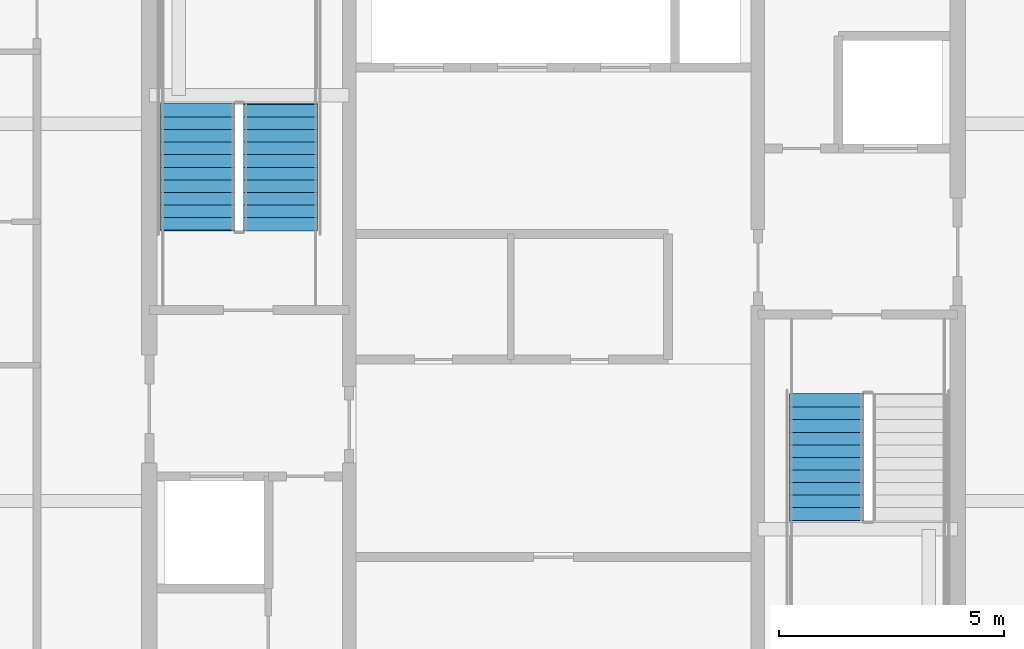
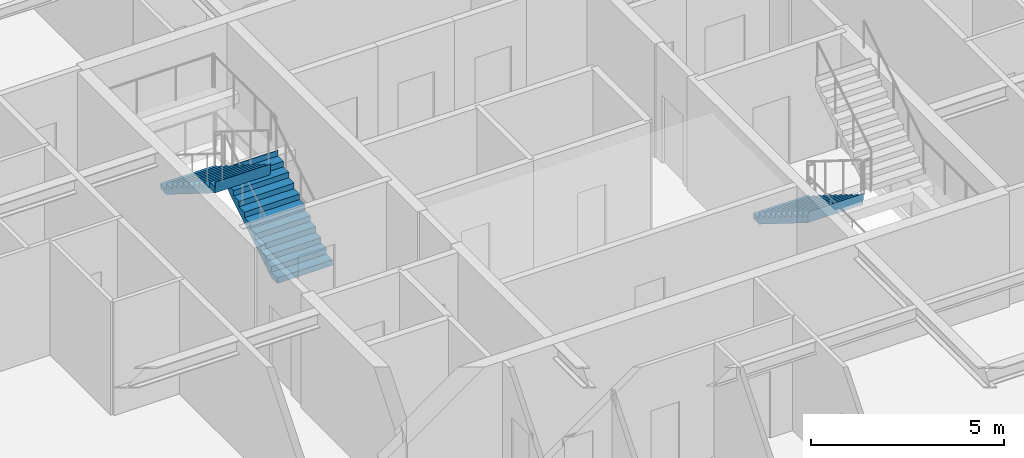
# One storey, part 30 of 36: 3 stair flights, 2 elements without a shape of their own.
"""IFC4 building model written with IfcOpenShell, lengths in metres."""

from ifc_helpers import new_model, si_unit, direction, frame, origin, place, context, subcontext, project, spatial, polygons, material, type_object, element, aggregate, save


model = new_model("IFC4")

# Units and contexts
model_context = context("Model", 3, precision=1e-05, world=origin(), true_north=direction((0.0, 1.0)))
body_context = subcontext(model_context, "Body", "Model", "MODEL_VIEW")
ifc_project = project(units=[si_unit("LENGTHUNIT", "METRE"), si_unit("AREAUNIT", "SQUARE_METRE"), si_unit("VOLUMEUNIT", "CUBIC_METRE"), si_unit("PLANEANGLEUNIT", "RADIAN"), si_unit("MASSUNIT", "GRAM", prefix="KILO")], contexts=[model_context])

# Site, building, storey
site_placement = place(None, origin())
site = spatial("IfcSite", under=ifc_project, at=site_placement, CompositionType="ELEMENT")
building_placement = place(site_placement, origin())
building = spatial("IfcBuilding", under=site, at=building_placement, Name="Serunith Strait Residences", CompositionType="ELEMENT")
storey_placement = place(building_placement, frame((0.0, 0.0, 225.85009765625)))
storey = spatial("IfcBuildingStorey", under=building, at=storey_placement, Name="L56", CompositionType="ELEMENT", Elevation=225.85009765625)

# Stair, stair flights
ifc_material = material(Name="Concrete C50/60", Category="concrete")
stair_type_1 = type_object("IfcStairType", Name="STR-CORE-1", PredefinedType="HALF_TURN_STAIR", material=ifc_material)
stair_1_placement = place(storey_placement, origin())
stair_1 = element("IfcStair", 1, at=stair_1_placement, inside=storey, type_object=stair_type_1, Name="L56 Protected Escape Stair ST-1", PredefinedType="HALF_TURN_STAIR")
stair_flight_type_1 = type_object("IfcStairFlightType", Name="FLT-CORE-1", PredefinedType="STRAIGHT", material=ifc_material)
stair_flight_1_placement = place(storey_placement, frame((26.324951171875, 27.030029296875, 0.0), z_axis=(0.0, 0.0, 1.0), x_axis=(0.0, 1.0, 0.0)))
stair_flight_1 = element("IfcStairFlight", 2, at=stair_flight_1_placement, type_object=stair_flight_type_1, Name="ST-1 flight 1", NumberOfRisers=11, NumberOfTreads=10, PredefinedType="STRAIGHT", RiserHeight=0.175, TreadLength=0.28, context=body_context, shape_type="Tessellation", body=[
    polygons([(-0.02001953125, -0.824951171875, 0.0), (-0.02001953125, -0.824951171875, 0.175048828125), (0.280029296875, -0.824951171875, 0.175048828125), (0.280029296875, -0.824951171875, 0.35009765625), (0.56005859375, -0.824951171875, 0.35009765625), (0.56005859375, -0.824951171875, 0.52490234375), (0.840087890625, -0.824951171875, 0.52490234375), (0.840087890625, -0.824951171875, 0.699951171875), (1.1201171875, -0.824951171875, 0.699951171875), (1.1201171875, -0.824951171875, 0.875), (1.39990234375, -0.824951171875, 0.875), (1.39990234375, -0.824951171875, 1.050048828125), (1.679931640625, -0.824951171875, 1.050048828125), (1.679931640625, -0.824951171875, 1.22509765625), (1.9599609375, -0.824951171875, 1.22509765625), (1.9599609375, -0.824951171875, 1.39990234375), (2.239990234375, -0.824951171875, 1.39990234375), (2.239990234375, -0.824951171875, 1.574951171875), (2.52001953125, -0.824951171875, 1.574951171875), (2.52001953125, -0.824951171875, 1.75), (2.800048828125, -0.824951171875, 1.75), (2.800048828125, -0.824951171875, 1.925048828125), (2.820068359375, -0.824951171875, 1.925048828125), (2.820068359375, -0.824951171875, 1.864990234375), (2.800048828125, -0.824951171875, 1.5732421875), (0.28271484375, -0.824951171875, 0.0), (-0.02001953125, -0.41259765625, 0.0), (-0.02001953125, -0.41259765625, 0.175048828125), (0.280029296875, -0.41259765625, 0.175048828125), (0.280029296875, -0.41259765625, 0.35009765625), (0.56005859375, -0.41259765625, 0.35009765625), (0.56005859375, -0.41259765625, 0.52490234375), (0.840087890625, -0.41259765625, 0.52490234375), (0.840087890625, -0.41259765625, 0.699951171875), (1.1201171875, -0.41259765625, 0.699951171875), (1.1201171875, -0.41259765625, 0.875), (1.39990234375, -0.41259765625, 0.875), (1.39990234375, -0.41259765625, 1.050048828125), (1.679931640625, -0.41259765625, 1.050048828125), (1.679931640625, -0.41259765625, 1.22509765625), (1.9599609375, -0.41259765625, 1.22509765625), (1.9599609375, -0.41259765625, 1.39990234375), (2.239990234375, -0.41259765625, 1.39990234375), (2.239990234375, -0.41259765625, 1.574951171875), (2.52001953125, -0.41259765625, 1.574951171875), (2.52001953125, -0.41259765625, 1.75), (2.800048828125, -0.41259765625, 1.75), (2.800048828125, -0.41259765625, 1.925048828125), (2.820068359375, -0.41259765625, 1.925048828125), (2.820068359375, -0.41259765625, 1.864990234375), (2.800048828125, -0.41259765625, 1.5732421875), (0.28271484375, -0.41259765625, 0.0), (-0.02001953125, 0.0, 0.0), (-0.02001953125, 0.0, 0.175048828125), (0.280029296875, 0.0, 0.175048828125), (0.280029296875, 0.0, 0.35009765625), (0.56005859375, 0.0, 0.35009765625), (0.56005859375, 0.0, 0.52490234375), (0.840087890625, 0.0, 0.52490234375), (0.840087890625, 0.0, 0.699951171875), (1.1201171875, 0.0, 0.699951171875), (1.1201171875, 0.0, 0.875), (1.39990234375, 0.0, 0.875), (1.39990234375, 0.0, 1.050048828125), (1.679931640625, 0.0, 1.050048828125), (1.679931640625, 0.0, 1.22509765625), (1.9599609375, 0.0, 1.22509765625), (1.9599609375, 0.0, 1.39990234375), (2.239990234375, 0.0, 1.39990234375), (2.239990234375, 0.0, 1.574951171875), (2.52001953125, 0.0, 1.574951171875), (2.52001953125, 0.0, 1.75), (2.800048828125, 0.0, 1.75), (2.800048828125, 0.0, 1.925048828125), (2.820068359375, 0.0, 1.925048828125), (2.820068359375, 0.0, 1.864990234375), (2.800048828125, 0.0, 1.5732421875), (0.28271484375, 0.0, 0.0), (-0.02001953125, 0.41259765625, 0.0), (-0.02001953125, 0.41259765625, 0.175048828125), (0.280029296875, 0.41259765625, 0.175048828125), (0.280029296875, 0.41259765625, 0.35009765625), (0.56005859375, 0.41259765625, 0.35009765625), (0.56005859375, 0.41259765625, 0.52490234375), (0.840087890625, 0.41259765625, 0.52490234375), (0.840087890625, 0.41259765625, 0.699951171875), (1.1201171875, 0.41259765625, 0.699951171875), (1.1201171875, 0.41259765625, 0.875), (1.39990234375, 0.41259765625, 0.875), (1.39990234375, 0.41259765625, 1.050048828125), (1.679931640625, 0.41259765625, 1.050048828125), (1.679931640625, 0.41259765625, 1.22509765625), (1.9599609375, 0.41259765625, 1.22509765625), (1.9599609375, 0.41259765625, 1.39990234375), (2.239990234375, 0.41259765625, 1.39990234375), (2.239990234375, 0.41259765625, 1.574951171875), (2.52001953125, 0.41259765625, 1.574951171875), (2.52001953125, 0.41259765625, 1.75), (2.800048828125, 0.41259765625, 1.75), (2.800048828125, 0.41259765625, 1.925048828125), (2.820068359375, 0.41259765625, 1.925048828125), (2.820068359375, 0.41259765625, 1.864990234375), (2.800048828125, 0.41259765625, 1.5732421875), (0.28271484375, 0.41259765625, 0.0), (-0.02001953125, 0.824951171875, 0.0), (-0.02001953125, 0.824951171875, 0.175048828125), (0.280029296875, 0.824951171875, 0.175048828125), (0.280029296875, 0.824951171875, 0.35009765625), (0.56005859375, 0.824951171875, 0.35009765625), (0.56005859375, 0.824951171875, 0.52490234375), (0.840087890625, 0.824951171875, 0.52490234375), (0.840087890625, 0.824951171875, 0.699951171875), (1.1201171875, 0.824951171875, 0.699951171875), (1.1201171875, 0.824951171875, 0.875), (1.39990234375, 0.824951171875, 0.875), (1.39990234375, 0.824951171875, 1.050048828125), (1.679931640625, 0.824951171875, 1.050048828125), (1.679931640625, 0.824951171875, 1.22509765625), (1.9599609375, 0.824951171875, 1.22509765625), (1.9599609375, 0.824951171875, 1.39990234375), (2.239990234375, 0.824951171875, 1.39990234375), (2.239990234375, 0.824951171875, 1.574951171875), (2.52001953125, 0.824951171875, 1.574951171875), (2.52001953125, 0.824951171875, 1.75), (2.800048828125, 0.824951171875, 1.75), (2.800048828125, 0.824951171875, 1.925048828125), (2.820068359375, 0.824951171875, 1.925048828125), (2.820068359375, 0.824951171875, 1.864990234375), (2.800048828125, 0.824951171875, 1.5732421875), (0.28271484375, 0.824951171875, 0.0)], [[[1, 2, 28, 27]], [[2, 3, 29, 28]], [[3, 4, 30, 29]], [[4, 5, 31, 30]], [[5, 6, 32, 31]], [[6, 7, 33, 32]], [[7, 8, 34, 33]], [[8, 9, 35, 34]], [[9, 10, 36, 35]], [[10, 11, 37, 36]], [[11, 12, 38, 37]], [[12, 13, 39, 38]], [[13, 14, 40, 39]], [[14, 15, 41, 40]], [[15, 16, 42, 41]], [[16, 17, 43, 42]], [[17, 18, 44, 43]], [[18, 19, 45, 44]], [[19, 20, 46, 45]], [[20, 21, 47, 46]], [[21, 22, 48, 47]], [[22, 23, 49, 48]], [[23, 24, 50, 49]], [[24, 25, 51, 50]], [[25, 26, 52, 51]], [[26, 1, 27, 52]], [[27, 28, 54, 53]], [[28, 29, 55, 54]], [[29, 30, 56, 55]], [[30, 31, 57, 56]], [[31, 32, 58, 57]], [[32, 33, 59, 58]], [[33, 34, 60, 59]], [[34, 35, 61, 60]], [[35, 36, 62, 61]], [[36, 37, 63, 62]], [[37, 38, 64, 63]], [[38, 39, 65, 64]], [[39, 40, 66, 65]], [[40, 41, 67, 66]], [[41, 42, 68, 67]], [[42, 43, 69, 68]], [[43, 44, 70, 69]], [[44, 45, 71, 70]], [[45, 46, 72, 71]], [[46, 47, 73, 72]], [[47, 48, 74, 73]], [[48, 49, 75, 74]], [[49, 50, 76, 75]], [[50, 51, 77, 76]], [[51, 52, 78, 77]], [[52, 27, 53, 78]], [[53, 54, 80, 79]], [[54, 55, 81, 80]], [[55, 56, 82, 81]], [[56, 57, 83, 82]], [[57, 58, 84, 83]], [[58, 59, 85, 84]], [[59, 60, 86, 85]], [[60, 61, 87, 86]], [[61, 62, 88, 87]], [[62, 63, 89, 88]], [[63, 64, 90, 89]], [[64, 65, 91, 90]], [[65, 66, 92, 91]], [[66, 67, 93, 92]], [[67, 68, 94, 93]], [[68, 69, 95, 94]], [[69, 70, 96, 95]], [[70, 71, 97, 96]], [[71, 72, 98, 97]], [[72, 73, 99, 98]], [[73, 74, 100, 99]], [[74, 75, 101, 100]], [[75, 76, 102, 101]], [[76, 77, 103, 102]], [[77, 78, 104, 103]], [[78, 53, 79, 104]], [[79, 80, 106, 105]], [[80, 81, 107, 106]], [[81, 82, 108, 107]], [[82, 83, 109, 108]], [[83, 84, 110, 109]], [[84, 85, 111, 110]], [[85, 86, 112, 111]], [[86, 87, 113, 112]], [[87, 88, 114, 113]], [[88, 89, 115, 114]], [[89, 90, 116, 115]], [[90, 91, 117, 116]], [[91, 92, 118, 117]], [[92, 93, 119, 118]], [[93, 94, 120, 119]], [[94, 95, 121, 120]], [[95, 96, 122, 121]], [[96, 97, 123, 122]], [[97, 98, 124, 123]], [[98, 99, 125, 124]], [[99, 100, 126, 125]], [[100, 101, 127, 126]], [[101, 102, 128, 127]], [[102, 103, 129, 128]], [[103, 104, 130, 129]], [[104, 79, 105, 130]], [[26, 25, 24, 23, 22, 21, 20, 19, 18, 17, 16, 15, 14, 13, 12, 11, 10, 9, 8, 7, 6, 5, 4, 3, 2, 1]], [[105, 106, 107, 108, 109, 110, 111, 112, 113, 114, 115, 116, 117, 118, 119, 120, 121, 122, 123, 124, 125, 126, 127, 128, 129, 130]]], closed=True),
])
stair_flight_2_placement = place(storey_placement, frame((24.47509765625, 29.830078125, 1.9248046875), z_axis=(0.0, 0.0, 1.0), x_axis=(0.0, -1.0, 0.0)))
stair_flight_2 = element("IfcStairFlight", 3, at=stair_flight_2_placement, type_object=stair_flight_type_1, Name="ST-1 flight 2", NumberOfRisers=11, NumberOfTreads=10, PredefinedType="STRAIGHT", RiserHeight=0.175, TreadLength=0.28, context=body_context, shape_type="Tessellation", body=[
    polygons([(-0.02001953125, -0.824951171875, 0.0), (-0.02001953125, -0.824951171875, 0.175048828125), (0.280029296875, -0.824951171875, 0.175048828125), (0.280029296875, -0.824951171875, 0.35009765625), (0.56005859375, -0.824951171875, 0.35009765625), (0.56005859375, -0.824951171875, 0.52490234375), (0.840087890625, -0.824951171875, 0.52490234375), (0.840087890625, -0.824951171875, 0.699951171875), (1.1201171875, -0.824951171875, 0.699951171875), (1.1201171875, -0.824951171875, 0.875), (1.39990234375, -0.824951171875, 0.875), (1.39990234375, -0.824951171875, 1.050048828125), (1.679931640625, -0.824951171875, 1.050048828125), (1.679931640625, -0.824951171875, 1.22509765625), (1.9599609375, -0.824951171875, 1.22509765625), (1.9599609375, -0.824951171875, 1.39990234375), (2.239990234375, -0.824951171875, 1.39990234375), (2.239990234375, -0.824951171875, 1.574951171875), (2.52001953125, -0.824951171875, 1.574951171875), (2.52001953125, -0.824951171875, 1.75), (2.800048828125, -0.824951171875, 1.75), (2.800048828125, -0.824951171875, 1.925048828125), (2.820068359375, -0.824951171875, 1.925048828125), (2.820068359375, -0.824951171875, 1.864990234375), (2.800048828125, -0.824951171875, 1.5732421875), (0.28271484375, -0.824951171875, 0.0), (-0.02001953125, -0.41259765625, 0.0), (-0.02001953125, -0.41259765625, 0.175048828125), (0.280029296875, -0.41259765625, 0.175048828125), (0.280029296875, -0.41259765625, 0.35009765625), (0.56005859375, -0.41259765625, 0.35009765625), (0.56005859375, -0.41259765625, 0.52490234375), (0.840087890625, -0.41259765625, 0.52490234375), (0.840087890625, -0.41259765625, 0.699951171875), (1.1201171875, -0.41259765625, 0.699951171875), (1.1201171875, -0.41259765625, 0.875), (1.39990234375, -0.41259765625, 0.875), (1.39990234375, -0.41259765625, 1.050048828125), (1.679931640625, -0.41259765625, 1.050048828125), (1.679931640625, -0.41259765625, 1.22509765625), (1.9599609375, -0.41259765625, 1.22509765625), (1.9599609375, -0.41259765625, 1.39990234375), (2.239990234375, -0.41259765625, 1.39990234375), (2.239990234375, -0.41259765625, 1.574951171875), (2.52001953125, -0.41259765625, 1.574951171875), (2.52001953125, -0.41259765625, 1.75), (2.800048828125, -0.41259765625, 1.75), (2.800048828125, -0.41259765625, 1.925048828125), (2.820068359375, -0.41259765625, 1.925048828125), (2.820068359375, -0.41259765625, 1.864990234375), (2.800048828125, -0.41259765625, 1.5732421875), (0.28271484375, -0.41259765625, 0.0), (-0.02001953125, 0.0, 0.0), (-0.02001953125, 0.0, 0.175048828125), (0.280029296875, 0.0, 0.175048828125), (0.280029296875, 0.0, 0.35009765625), (0.56005859375, 0.0, 0.35009765625), (0.56005859375, 0.0, 0.52490234375), (0.840087890625, 0.0, 0.52490234375), (0.840087890625, 0.0, 0.699951171875), (1.1201171875, 0.0, 0.699951171875), (1.1201171875, 0.0, 0.875), (1.39990234375, 0.0, 0.875), (1.39990234375, 0.0, 1.050048828125), (1.679931640625, 0.0, 1.050048828125), (1.679931640625, 0.0, 1.22509765625), (1.9599609375, 0.0, 1.22509765625), (1.9599609375, 0.0, 1.39990234375), (2.239990234375, 0.0, 1.39990234375), (2.239990234375, 0.0, 1.574951171875), (2.52001953125, 0.0, 1.574951171875), (2.52001953125, 0.0, 1.75), (2.800048828125, 0.0, 1.75), (2.800048828125, 0.0, 1.925048828125), (2.820068359375, 0.0, 1.925048828125), (2.820068359375, 0.0, 1.864990234375), (2.800048828125, 0.0, 1.5732421875), (0.28271484375, 0.0, 0.0), (-0.02001953125, 0.41259765625, 0.0), (-0.02001953125, 0.41259765625, 0.175048828125), (0.280029296875, 0.41259765625, 0.175048828125), (0.280029296875, 0.41259765625, 0.35009765625), (0.56005859375, 0.41259765625, 0.35009765625), (0.56005859375, 0.41259765625, 0.52490234375), (0.840087890625, 0.41259765625, 0.52490234375), (0.840087890625, 0.41259765625, 0.699951171875), (1.1201171875, 0.41259765625, 0.699951171875), (1.1201171875, 0.41259765625, 0.875), (1.39990234375, 0.41259765625, 0.875), (1.39990234375, 0.41259765625, 1.050048828125), (1.679931640625, 0.41259765625, 1.050048828125), (1.679931640625, 0.41259765625, 1.22509765625), (1.9599609375, 0.41259765625, 1.22509765625), (1.9599609375, 0.41259765625, 1.39990234375), (2.239990234375, 0.41259765625, 1.39990234375), (2.239990234375, 0.41259765625, 1.574951171875), (2.52001953125, 0.41259765625, 1.574951171875), (2.52001953125, 0.41259765625, 1.75), (2.800048828125, 0.41259765625, 1.75), (2.800048828125, 0.41259765625, 1.925048828125), (2.820068359375, 0.41259765625, 1.925048828125), (2.820068359375, 0.41259765625, 1.864990234375), (2.800048828125, 0.41259765625, 1.5732421875), (0.28271484375, 0.41259765625, 0.0), (-0.02001953125, 0.824951171875, 0.0), (-0.02001953125, 0.824951171875, 0.175048828125), (0.280029296875, 0.824951171875, 0.175048828125), (0.280029296875, 0.824951171875, 0.35009765625), (0.56005859375, 0.824951171875, 0.35009765625), (0.56005859375, 0.824951171875, 0.52490234375), (0.840087890625, 0.824951171875, 0.52490234375), (0.840087890625, 0.824951171875, 0.699951171875), (1.1201171875, 0.824951171875, 0.699951171875), (1.1201171875, 0.824951171875, 0.875), (1.39990234375, 0.824951171875, 0.875), (1.39990234375, 0.824951171875, 1.050048828125), (1.679931640625, 0.824951171875, 1.050048828125), (1.679931640625, 0.824951171875, 1.22509765625), (1.9599609375, 0.824951171875, 1.22509765625), (1.9599609375, 0.824951171875, 1.39990234375), (2.239990234375, 0.824951171875, 1.39990234375), (2.239990234375, 0.824951171875, 1.574951171875), (2.52001953125, 0.824951171875, 1.574951171875), (2.52001953125, 0.824951171875, 1.75), (2.800048828125, 0.824951171875, 1.75), (2.800048828125, 0.824951171875, 1.925048828125), (2.820068359375, 0.824951171875, 1.925048828125), (2.820068359375, 0.824951171875, 1.864990234375), (2.800048828125, 0.824951171875, 1.5732421875), (0.28271484375, 0.824951171875, 0.0)], [[[1, 2, 28, 27]], [[2, 3, 29, 28]], [[3, 4, 30, 29]], [[4, 5, 31, 30]], [[5, 6, 32, 31]], [[6, 7, 33, 32]], [[7, 8, 34, 33]], [[8, 9, 35, 34]], [[9, 10, 36, 35]], [[10, 11, 37, 36]], [[11, 12, 38, 37]], [[12, 13, 39, 38]], [[13, 14, 40, 39]], [[14, 15, 41, 40]], [[15, 16, 42, 41]], [[16, 17, 43, 42]], [[17, 18, 44, 43]], [[18, 19, 45, 44]], [[19, 20, 46, 45]], [[20, 21, 47, 46]], [[21, 22, 48, 47]], [[22, 23, 49, 48]], [[23, 24, 50, 49]], [[24, 25, 51, 50]], [[25, 26, 52, 51]], [[26, 1, 27, 52]], [[27, 28, 54, 53]], [[28, 29, 55, 54]], [[29, 30, 56, 55]], [[30, 31, 57, 56]], [[31, 32, 58, 57]], [[32, 33, 59, 58]], [[33, 34, 60, 59]], [[34, 35, 61, 60]], [[35, 36, 62, 61]], [[36, 37, 63, 62]], [[37, 38, 64, 63]], [[38, 39, 65, 64]], [[39, 40, 66, 65]], [[40, 41, 67, 66]], [[41, 42, 68, 67]], [[42, 43, 69, 68]], [[43, 44, 70, 69]], [[44, 45, 71, 70]], [[45, 46, 72, 71]], [[46, 47, 73, 72]], [[47, 48, 74, 73]], [[48, 49, 75, 74]], [[49, 50, 76, 75]], [[50, 51, 77, 76]], [[51, 52, 78, 77]], [[52, 27, 53, 78]], [[53, 54, 80, 79]], [[54, 55, 81, 80]], [[55, 56, 82, 81]], [[56, 57, 83, 82]], [[57, 58, 84, 83]], [[58, 59, 85, 84]], [[59, 60, 86, 85]], [[60, 61, 87, 86]], [[61, 62, 88, 87]], [[62, 63, 89, 88]], [[63, 64, 90, 89]], [[64, 65, 91, 90]], [[65, 66, 92, 91]], [[66, 67, 93, 92]], [[67, 68, 94, 93]], [[68, 69, 95, 94]], [[69, 70, 96, 95]], [[70, 71, 97, 96]], [[71, 72, 98, 97]], [[72, 73, 99, 98]], [[73, 74, 100, 99]], [[74, 75, 101, 100]], [[75, 76, 102, 101]], [[76, 77, 103, 102]], [[77, 78, 104, 103]], [[78, 53, 79, 104]], [[79, 80, 106, 105]], [[80, 81, 107, 106]], [[81, 82, 108, 107]], [[82, 83, 109, 108]], [[83, 84, 110, 109]], [[84, 85, 111, 110]], [[85, 86, 112, 111]], [[86, 87, 113, 112]], [[87, 88, 114, 113]], [[88, 89, 115, 114]], [[89, 90, 116, 115]], [[90, 91, 117, 116]], [[91, 92, 118, 117]], [[92, 93, 119, 118]], [[93, 94, 120, 119]], [[94, 95, 121, 120]], [[95, 96, 122, 121]], [[96, 97, 123, 122]], [[97, 98, 124, 123]], [[98, 99, 125, 124]], [[99, 100, 126, 125]], [[100, 101, 127, 126]], [[101, 102, 128, 127]], [[102, 103, 129, 128]], [[103, 104, 130, 129]], [[104, 79, 105, 130]], [[26, 25, 24, 23, 22, 21, 20, 19, 18, 17, 16, 15, 14, 13, 12, 11, 10, 9, 8, 7, 6, 5, 4, 3, 2, 1]], [[105, 106, 107, 108, 109, 110, 111, 112, 113, 114, 115, 116, 117, 118, 119, 120, 121, 122, 123, 124, 125, 126, 127, 128, 129, 130]]], closed=True),
])
aggregate(stair_1, [stair_flight_1, stair_flight_2])

# Stair, stair flight
stair_type_2 = type_object("IfcStairType", Name="STR-CORE-2", PredefinedType="HALF_TURN_STAIR", material=ifc_material)
stair_2_placement = place(storey_placement, origin())
stair_2 = element("IfcStair", 4, at=stair_2_placement, inside=storey, type_object=stair_type_2, Name="L56 Protected Escape Stair ST-2", PredefinedType="HALF_TURN_STAIR")
stair_flight_type_2 = type_object("IfcStairFlightType", Name="FLT-CORE-2", PredefinedType="STRAIGHT", material=ifc_material)
stair_flight_3_placement = place(storey_placement, frame((38.47509765625, 23.3701171875, 0.0), z_axis=(0.0, 0.0, 1.0), x_axis=(0.0, -1.0, 0.0)))
stair_flight_3 = element("IfcStairFlight", 5, at=stair_flight_3_placement, type_object=stair_flight_type_2, Name="ST-2 flight 1", NumberOfRisers=11, NumberOfTreads=10, PredefinedType="STRAIGHT", RiserHeight=0.175, TreadLength=0.28, context=body_context, shape_type="Tessellation", body=[
    polygons([(-0.02001953125, -0.824951171875, 0.0), (-0.02001953125, -0.824951171875, 0.175048828125), (0.280029296875, -0.824951171875, 0.175048828125), (0.280029296875, -0.824951171875, 0.35009765625), (0.56005859375, -0.824951171875, 0.35009765625), (0.56005859375, -0.824951171875, 0.52490234375), (0.840087890625, -0.824951171875, 0.52490234375), (0.840087890625, -0.824951171875, 0.699951171875), (1.1201171875, -0.824951171875, 0.699951171875), (1.1201171875, -0.824951171875, 0.875), (1.39990234375, -0.824951171875, 0.875), (1.39990234375, -0.824951171875, 1.050048828125), (1.679931640625, -0.824951171875, 1.050048828125), (1.679931640625, -0.824951171875, 1.22509765625), (1.9599609375, -0.824951171875, 1.22509765625), (1.9599609375, -0.824951171875, 1.39990234375), (2.239990234375, -0.824951171875, 1.39990234375), (2.239990234375, -0.824951171875, 1.574951171875), (2.52001953125, -0.824951171875, 1.574951171875), (2.52001953125, -0.824951171875, 1.75), (2.800048828125, -0.824951171875, 1.75), (2.800048828125, -0.824951171875, 1.925048828125), (2.820068359375, -0.824951171875, 1.925048828125), (2.820068359375, -0.824951171875, 1.864990234375), (2.800048828125, -0.824951171875, 1.5732421875), (0.28271484375, -0.824951171875, 0.0), (-0.02001953125, -0.41259765625, 0.0), (-0.02001953125, -0.41259765625, 0.175048828125), (0.280029296875, -0.41259765625, 0.175048828125), (0.280029296875, -0.41259765625, 0.35009765625), (0.56005859375, -0.41259765625, 0.35009765625), (0.56005859375, -0.41259765625, 0.52490234375), (0.840087890625, -0.41259765625, 0.52490234375), (0.840087890625, -0.41259765625, 0.699951171875), (1.1201171875, -0.41259765625, 0.699951171875), (1.1201171875, -0.41259765625, 0.875), (1.39990234375, -0.41259765625, 0.875), (1.39990234375, -0.41259765625, 1.050048828125), (1.679931640625, -0.41259765625, 1.050048828125), (1.679931640625, -0.41259765625, 1.22509765625), (1.9599609375, -0.41259765625, 1.22509765625), (1.9599609375, -0.41259765625, 1.39990234375), (2.239990234375, -0.41259765625, 1.39990234375), (2.239990234375, -0.41259765625, 1.574951171875), (2.52001953125, -0.41259765625, 1.574951171875), (2.52001953125, -0.41259765625, 1.75), (2.800048828125, -0.41259765625, 1.75), (2.800048828125, -0.41259765625, 1.925048828125), (2.820068359375, -0.41259765625, 1.925048828125), (2.820068359375, -0.41259765625, 1.864990234375), (2.800048828125, -0.41259765625, 1.5732421875), (0.28271484375, -0.41259765625, 0.0), (-0.02001953125, 0.0, 0.0), (-0.02001953125, 0.0, 0.175048828125), (0.280029296875, 0.0, 0.175048828125), (0.280029296875, 0.0, 0.35009765625), (0.56005859375, 0.0, 0.35009765625), (0.56005859375, 0.0, 0.52490234375), (0.840087890625, 0.0, 0.52490234375), (0.840087890625, 0.0, 0.699951171875), (1.1201171875, 0.0, 0.699951171875), (1.1201171875, 0.0, 0.875), (1.39990234375, 0.0, 0.875), (1.39990234375, 0.0, 1.050048828125), (1.679931640625, 0.0, 1.050048828125), (1.679931640625, 0.0, 1.22509765625), (1.9599609375, 0.0, 1.22509765625), (1.9599609375, 0.0, 1.39990234375), (2.239990234375, 0.0, 1.39990234375), (2.239990234375, 0.0, 1.574951171875), (2.52001953125, 0.0, 1.574951171875), (2.52001953125, 0.0, 1.75), (2.800048828125, 0.0, 1.75), (2.800048828125, 0.0, 1.925048828125), (2.820068359375, 0.0, 1.925048828125), (2.820068359375, 0.0, 1.864990234375), (2.800048828125, 0.0, 1.5732421875), (0.28271484375, 0.0, 0.0), (-0.02001953125, 0.41259765625, 0.0), (-0.02001953125, 0.41259765625, 0.175048828125), (0.280029296875, 0.41259765625, 0.175048828125), (0.280029296875, 0.41259765625, 0.35009765625), (0.56005859375, 0.41259765625, 0.35009765625), (0.56005859375, 0.41259765625, 0.52490234375), (0.840087890625, 0.41259765625, 0.52490234375), (0.840087890625, 0.41259765625, 0.699951171875), (1.1201171875, 0.41259765625, 0.699951171875), (1.1201171875, 0.41259765625, 0.875), (1.39990234375, 0.41259765625, 0.875), (1.39990234375, 0.41259765625, 1.050048828125), (1.679931640625, 0.41259765625, 1.050048828125), (1.679931640625, 0.41259765625, 1.22509765625), (1.9599609375, 0.41259765625, 1.22509765625), (1.9599609375, 0.41259765625, 1.39990234375), (2.239990234375, 0.41259765625, 1.39990234375), (2.239990234375, 0.41259765625, 1.574951171875), (2.52001953125, 0.41259765625, 1.574951171875), (2.52001953125, 0.41259765625, 1.75), (2.800048828125, 0.41259765625, 1.75), (2.800048828125, 0.41259765625, 1.925048828125), (2.820068359375, 0.41259765625, 1.925048828125), (2.820068359375, 0.41259765625, 1.864990234375), (2.800048828125, 0.41259765625, 1.5732421875), (0.28271484375, 0.41259765625, 0.0), (-0.02001953125, 0.824951171875, 0.0), (-0.02001953125, 0.824951171875, 0.175048828125), (0.280029296875, 0.824951171875, 0.175048828125), (0.280029296875, 0.824951171875, 0.35009765625), (0.56005859375, 0.824951171875, 0.35009765625), (0.56005859375, 0.824951171875, 0.52490234375), (0.840087890625, 0.824951171875, 0.52490234375), (0.840087890625, 0.824951171875, 0.699951171875), (1.1201171875, 0.824951171875, 0.699951171875), (1.1201171875, 0.824951171875, 0.875), (1.39990234375, 0.824951171875, 0.875), (1.39990234375, 0.824951171875, 1.050048828125), (1.679931640625, 0.824951171875, 1.050048828125), (1.679931640625, 0.824951171875, 1.22509765625), (1.9599609375, 0.824951171875, 1.22509765625), (1.9599609375, 0.824951171875, 1.39990234375), (2.239990234375, 0.824951171875, 1.39990234375), (2.239990234375, 0.824951171875, 1.574951171875), (2.52001953125, 0.824951171875, 1.574951171875), (2.52001953125, 0.824951171875, 1.75), (2.800048828125, 0.824951171875, 1.75), (2.800048828125, 0.824951171875, 1.925048828125), (2.820068359375, 0.824951171875, 1.925048828125), (2.820068359375, 0.824951171875, 1.864990234375), (2.800048828125, 0.824951171875, 1.5732421875), (0.28271484375, 0.824951171875, 0.0)], [[[1, 2, 28, 27]], [[2, 3, 29, 28]], [[3, 4, 30, 29]], [[4, 5, 31, 30]], [[5, 6, 32, 31]], [[6, 7, 33, 32]], [[7, 8, 34, 33]], [[8, 9, 35, 34]], [[9, 10, 36, 35]], [[10, 11, 37, 36]], [[11, 12, 38, 37]], [[12, 13, 39, 38]], [[13, 14, 40, 39]], [[14, 15, 41, 40]], [[15, 16, 42, 41]], [[16, 17, 43, 42]], [[17, 18, 44, 43]], [[18, 19, 45, 44]], [[19, 20, 46, 45]], [[20, 21, 47, 46]], [[21, 22, 48, 47]], [[22, 23, 49, 48]], [[23, 24, 50, 49]], [[24, 25, 51, 50]], [[25, 26, 52, 51]], [[26, 1, 27, 52]], [[27, 28, 54, 53]], [[28, 29, 55, 54]], [[29, 30, 56, 55]], [[30, 31, 57, 56]], [[31, 32, 58, 57]], [[32, 33, 59, 58]], [[33, 34, 60, 59]], [[34, 35, 61, 60]], [[35, 36, 62, 61]], [[36, 37, 63, 62]], [[37, 38, 64, 63]], [[38, 39, 65, 64]], [[39, 40, 66, 65]], [[40, 41, 67, 66]], [[41, 42, 68, 67]], [[42, 43, 69, 68]], [[43, 44, 70, 69]], [[44, 45, 71, 70]], [[45, 46, 72, 71]], [[46, 47, 73, 72]], [[47, 48, 74, 73]], [[48, 49, 75, 74]], [[49, 50, 76, 75]], [[50, 51, 77, 76]], [[51, 52, 78, 77]], [[52, 27, 53, 78]], [[53, 54, 80, 79]], [[54, 55, 81, 80]], [[55, 56, 82, 81]], [[56, 57, 83, 82]], [[57, 58, 84, 83]], [[58, 59, 85, 84]], [[59, 60, 86, 85]], [[60, 61, 87, 86]], [[61, 62, 88, 87]], [[62, 63, 89, 88]], [[63, 64, 90, 89]], [[64, 65, 91, 90]], [[65, 66, 92, 91]], [[66, 67, 93, 92]], [[67, 68, 94, 93]], [[68, 69, 95, 94]], [[69, 70, 96, 95]], [[70, 71, 97, 96]], [[71, 72, 98, 97]], [[72, 73, 99, 98]], [[73, 74, 100, 99]], [[74, 75, 101, 100]], [[75, 76, 102, 101]], [[76, 77, 103, 102]], [[77, 78, 104, 103]], [[78, 53, 79, 104]], [[79, 80, 106, 105]], [[80, 81, 107, 106]], [[81, 82, 108, 107]], [[82, 83, 109, 108]], [[83, 84, 110, 109]], [[84, 85, 111, 110]], [[85, 86, 112, 111]], [[86, 87, 113, 112]], [[87, 88, 114, 113]], [[88, 89, 115, 114]], [[89, 90, 116, 115]], [[90, 91, 117, 116]], [[91, 92, 118, 117]], [[92, 93, 119, 118]], [[93, 94, 120, 119]], [[94, 95, 121, 120]], [[95, 96, 122, 121]], [[96, 97, 123, 122]], [[97, 98, 124, 123]], [[98, 99, 125, 124]], [[99, 100, 126, 125]], [[100, 101, 127, 126]], [[101, 102, 128, 127]], [[102, 103, 129, 128]], [[103, 104, 130, 129]], [[104, 79, 105, 130]], [[26, 25, 24, 23, 22, 21, 20, 19, 18, 17, 16, 15, 14, 13, 12, 11, 10, 9, 8, 7, 6, 5, 4, 3, 2, 1]], [[105, 106, 107, 108, 109, 110, 111, 112, 113, 114, 115, 116, 117, 118, 119, 120, 121, 122, 123, 124, 125, 126, 127, 128, 129, 130]]], closed=True),
])
aggregate(stair_2, [stair_flight_3])

save(model, "model.ifc")
